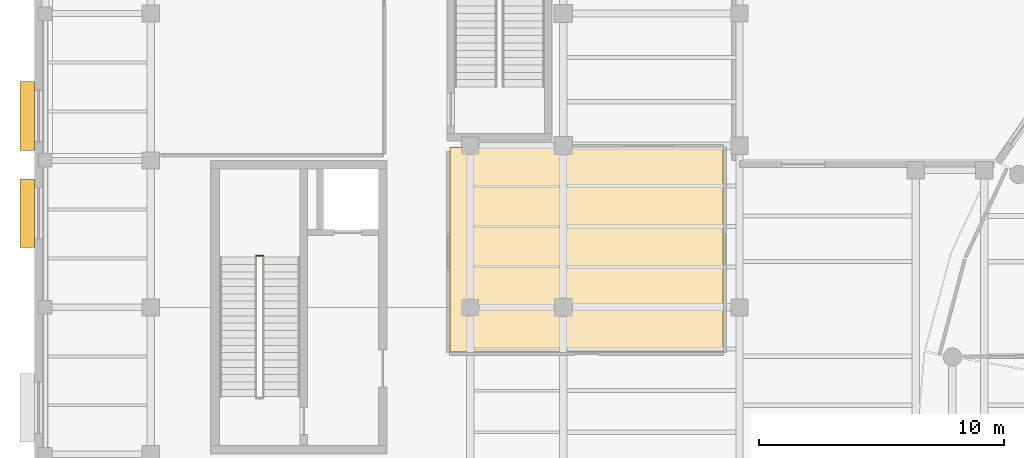
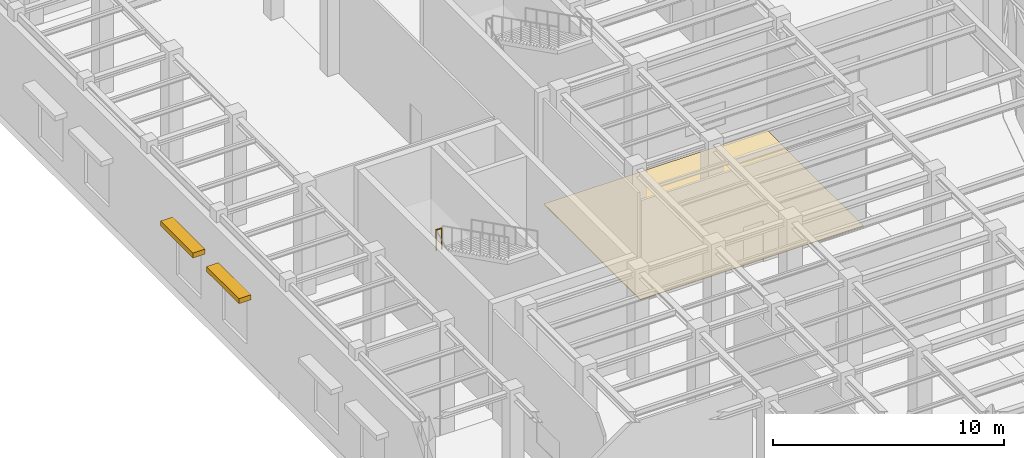
# One storey, part 103 of 118: 2 shading devices, 1 covering, 1 railing, 1 element without a shape of its own.
"""IFC4 building model written with IfcOpenShell, lengths in metres."""

from ifc_helpers import new_model, si_unit, direction, frame, origin, origin_2d, place, context, subcontext, project, spatial, polyline, rectangle, circle, outline, extrude, material, layer, layer_set, type_object, element, aggregate, save


model = new_model("IFC4")

# Units and contexts
model_context = context("Model", 3, precision=1e-05, world=origin(), true_north=direction((0.0, 1.0)))
body_context = subcontext(model_context, "Body", "Model", "MODEL_VIEW")
ifc_project = project(units=[si_unit("LENGTHUNIT", "METRE"), si_unit("AREAUNIT", "SQUARE_METRE"), si_unit("VOLUMEUNIT", "CUBIC_METRE"), si_unit("PLANEANGLEUNIT", "RADIAN"), si_unit("MASSUNIT", "GRAM", prefix="KILO")], contexts=[model_context])

# Site, building, storey
site_placement = place(None, origin())
site = spatial("IfcSite", under=ifc_project, at=site_placement, CompositionType="ELEMENT")
building_placement = place(site_placement, origin())
building = spatial("IfcBuilding", under=site, at=building_placement, Name="Kolvaren Corner Interchange", CompositionType="ELEMENT")
storey_placement = place(building_placement, origin())
storey = spatial("IfcBuildingStorey", under=building, at=storey_placement, Name="L01", CompositionType="ELEMENT", Elevation=0.0)

# Covering
ifc_material_1 = material(Name="Polished Niger Delta Granite Terrazzo Flooring", Category="masonry")
ifc_layer = layer(ifc_material_1, 0.030029296875)
ifc_layer_set = layer_set([ifc_layer], Name="Polished Niger Delta Granite Terrazzo Flooring")
covering_type = type_object("IfcCoveringType", Name="COV-FLR-TER30", PredefinedType="FLOORING", material=ifc_layer_set)
covering_placement = place(storey_placement, origin())
element("IfcCovering", 1, at=covering_placement, inside=storey, type_object=covering_type, Name="L01 Community Exhibition Room Floor Finish", PredefinedType="FLOORING", context=body_context, shape_type="SweptSolid", body=[
    extrude(outline(polyline([(16.97998046875, 52.179931640625), (28.1201171875, 52.179931640625), (28.1201171875, 60.52001953125), (16.97998046875, 60.52001953125), (16.97998046875, 52.179931640625)])), origin(), (0.0, 0.0, 1.0), 0.030029296875),
])

# Stair, railing
ifc_material_2 = material(Name="Concrete C35/45", Category="concrete")
stair_type = type_object("IfcStairType", Name="ST-FF-1550", PredefinedType="HALF_TURN_STAIR", material=ifc_material_2)
stair_placement = place(storey_placement, origin())
stair = element("IfcStair", 2, at=stair_placement, inside=storey, type_object=stair_type, Name="Core C2 Northwest Firefighting Stair L01 to L02 Stair", PredefinedType="HALF_TURN_STAIR")
ifc_material_3 = material(Name="Powder-Coated Steel Stairwell Guardrail", Category="steel")
railing_type = type_object("IfcRailingType", Name="RLT-STAIR-GRD1120", PredefinedType="GUARDRAIL", material=ifc_material_3)
railing_placement = place(storey_placement, frame((9.06005859375, 56.110107421875, 3.0)))
railing = element("IfcRailing", 3, at=railing_placement, type_object=railing_type, Name="Core C2 Northwest Firefighting Stair L01 Half Landing Well Guardrail", PredefinedType="GUARDRAIL", context=body_context, shape_type="SweptSolid", body=[
    extrude(circle(Radius=0.02392578125, at=origin_2d()), frame((0.0, 0.0, 1.09619140625), z_axis=(1.0, 0.0, 0.0), x_axis=(0.0, 1.0, 0.0)), (0.0, 0.0, 1.0), 0.280029296875),
    extrude(circle(Radius=0.02001953125, at=origin_2d()), origin(), (0.0, 0.0, 1.0), 1.072021484375),
    extrude(circle(Radius=0.02001953125, at=origin_2d()), frame((0.280029296875, 0.0, 0.0)), (0.0, 0.0, 1.0), 1.072021484375),
])
aggregate(stair, [railing])

# Shading devices
ifc_material_4 = material(Name="Cream Ceramic Baguette Brise-Soleil")
shading_device_type = type_object("IfcShadingDeviceType", Name="SHD-BAG-H600", PredefinedType="JALOUSIE", material=ifc_material_4)
for number, where, z_axis, x_axis, name in (
    (4, (-0.2900390625, 61.81591796875, 3.3798828125), (0.0, 0.0, 1.0), (0.0, -1.0, 0.0), "L01 Ceramic Solar Shading 0020"),
    (5, (-0.2900390625, 57.84423828125, 3.3798828125), (0.0, 0.0, 1.0), (0.0, -1.0, 0.0), "L01 Ceramic Solar Shading 0021"),
):
    element("IfcShadingDevice", number, at=place(storey_placement, frame(where, z_axis=z_axis, x_axis=x_axis)), inside=storey, type_object=shading_device_type, Name=name, PredefinedType="JALOUSIE", context=body_context, shape_type="SweptSolid", body=[
        extrude(rectangle(XDim=2.800048828125, YDim=0.60009765625, at=origin_2d()), origin(), (0.0, 0.0, 1.0), 0.260009765625),
    ])

save(model, "model.ifc")
